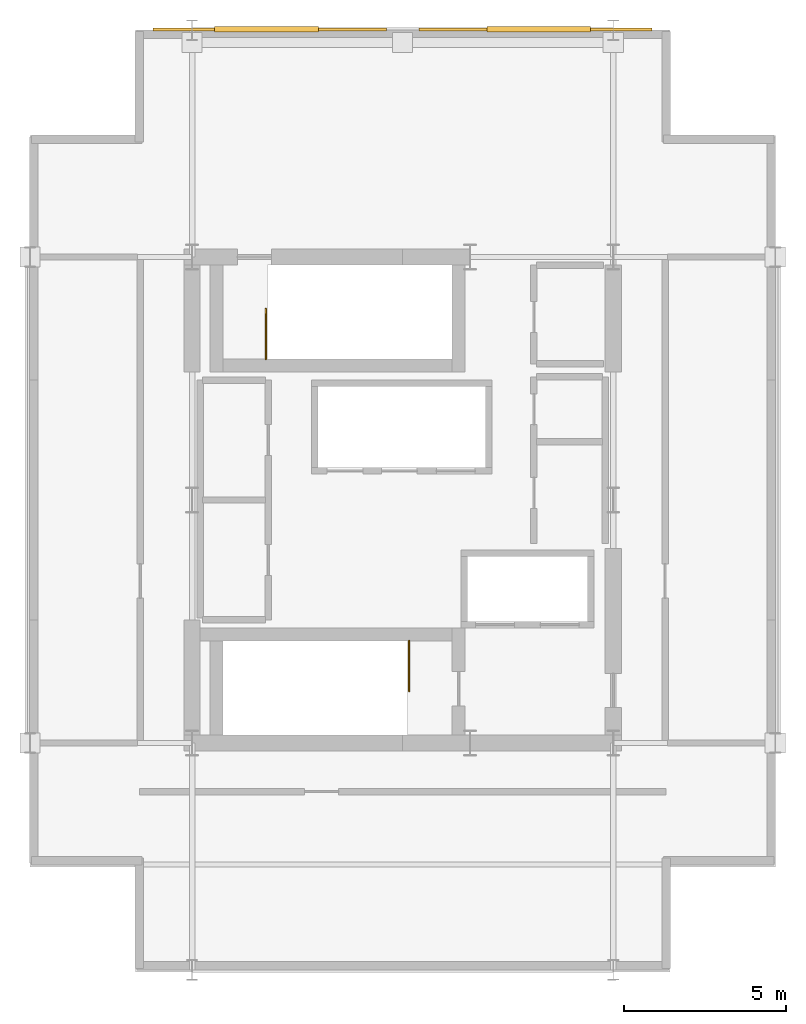
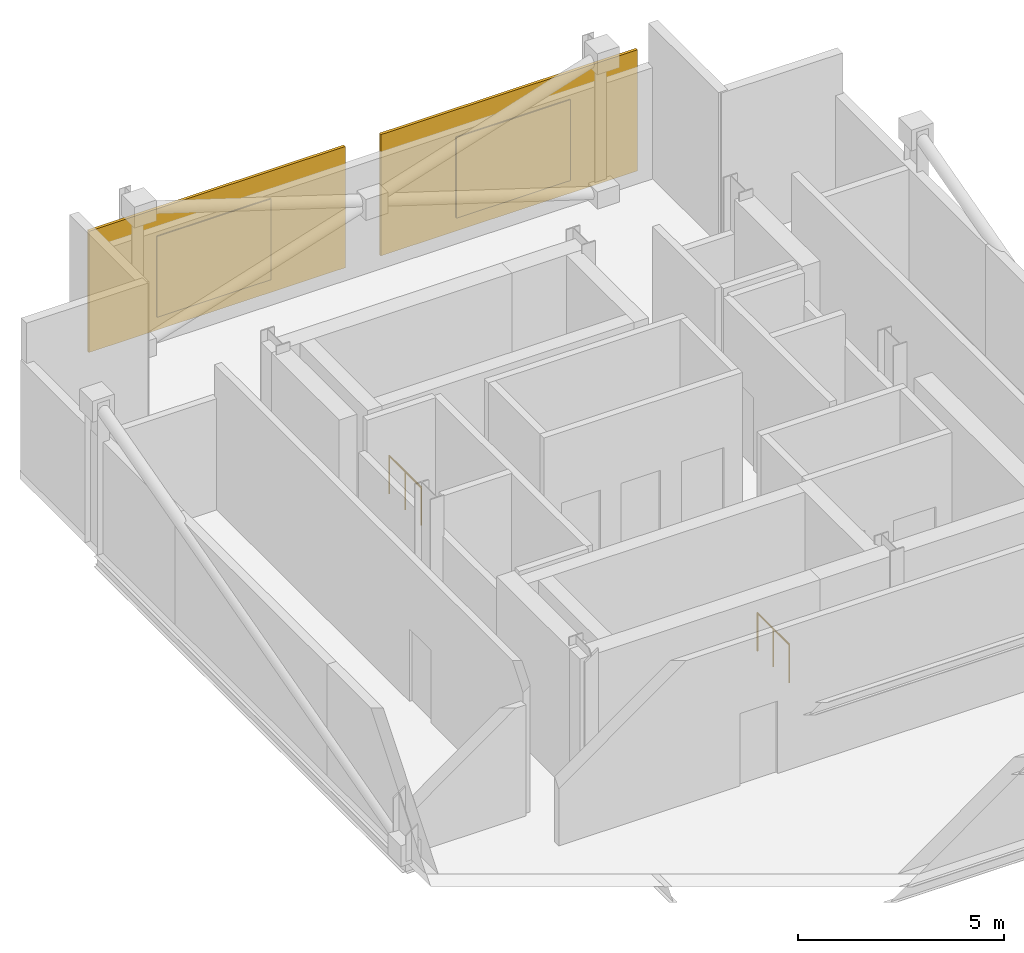
# One storey, part 3 of 3: 2 coverings, 2 railings, 2 shading devices.
"""IFC4 building model written with IfcOpenShell, lengths in metres."""

from ifc_helpers import new_model, si_unit, direction, frame, origin, origin_2d, place, context, subcontext, project, spatial, rectangle, circle, extrude, material, layer, layer_set, type_object, element, save


model = new_model("IFC4")

# Units and contexts
model_context = context("Model", 3, precision=1e-05, world=origin(), true_north=direction((0.0, 1.0)))
body_context = subcontext(model_context, "Body", "Model", "MODEL_VIEW")
ifc_project = project(units=[si_unit("LENGTHUNIT", "METRE"), si_unit("AREAUNIT", "SQUARE_METRE"), si_unit("VOLUMEUNIT", "CUBIC_METRE"), si_unit("PLANEANGLEUNIT", "RADIAN"), si_unit("MASSUNIT", "GRAM", prefix="KILO")], contexts=[model_context])

# Site, building, storey
site_placement = place(None, origin())
site = spatial("IfcSite", under=ifc_project, at=site_placement, CompositionType="ELEMENT")
building_placement = place(site_placement, origin())
building = spatial("IfcBuilding", under=site, at=building_placement, Name="Barlavira Tower and Art Museum", CompositionType="ELEMENT")
storey_placement = place(building_placement, frame((0.0, 0.0, 318.89990234375)))
storey = spatial("IfcBuildingStorey", under=building, at=storey_placement, Name="L83", CompositionType="ELEMENT", Elevation=318.89990234375)

# Shading devices
ifc_material_1 = material(Name="Pale anodised aluminium", Category="aluminium")
shading_device_type = type_object("IfcShadingDeviceType", Name="Crown Acoustic Weatherproof Plant Louvre Panel", PredefinedType="USERDEFINED", material=ifc_material_1)
for number, where, z_axis, x_axis, name in (
    (1, (-4.199951171875, 14.530029296875, 0.60009765625), (0.0, 0.0, 1.0), (1.0, 0.0, 0.0), "L83 Chisel Crown Acoustic Louvre 1"),
    (2, (4.199951171875, 14.530029296875, 0.60009765625), (0.0, 0.0, 1.0), (1.0, 0.0, 0.0), "L83 Chisel Crown Acoustic Louvre 2"),
):
    element("IfcShadingDevice", number, at=place(storey_placement, frame(where, z_axis=z_axis, x_axis=x_axis)), inside=storey, type_object=shading_device_type, Name=name, ObjectType="LOUVER", PredefinedType="USERDEFINED", context=body_context, shape_type="SweptSolid", body=[
        extrude(rectangle(XDim=3.199951171875, YDim=0.159912109375, at=origin_2d()), origin(), (0.0, 0.0, 1.0), 2.39990234375),
    ])

# Coverings
ifc_layer = layer(ifc_material_1, 0.080078125, Name="Pale anodised aluminium")
ifc_layer_set = layer_set([ifc_layer], Name="Pale anodised aluminium")
covering_type = type_object("IfcCoveringType", Name="Crown Chisel Pale-Metal Rainscreen Cladding 80", PredefinedType="CLADDING", material=ifc_layer_set)
for number, where, z_axis, x_axis, name in (
    (3, (-4.10009765625, 14.52001953125, 0.199951171875), (0.0, 0.0, 1.0), (1.0, 0.0, 0.0), "L83 North Chisel Rainscreen Cladding 1"),
    (4, (4.10009765625, 14.52001953125, 0.199951171875), (0.0, 0.0, 1.0), (1.0, 0.0, 0.0), "L83 North Chisel Rainscreen Cladding 2"),
):
    element("IfcCovering", number, at=place(storey_placement, frame(where, z_axis=z_axis, x_axis=x_axis)), inside=storey, type_object=covering_type, Name=name, PredefinedType="CLADDING", context=body_context, shape_type="SweptSolid", body=[
        extrude(rectangle(XDim=7.199951171875, YDim=0.080078125, at=origin_2d()), origin(), (0.0, 0.0, 1.0), 3.60009765625),
    ])

# Railings
ifc_material_2 = material(Name="Brushed stainless steel", Category="steel")
railing_type = type_object("IfcRailingType", Name="Interior Void and Landing Guard Railing 1150", PredefinedType="GUARDRAIL", material=ifc_material_2)
railing_1_placement = place(storey_placement, frame((0.199951171875, -4.35009765625, 0.0)))
element("IfcRailing", 5, at=railing_1_placement, inside=storey, type_object=railing_type, Name="L83 ST-T1 top well guard 1", PredefinedType="GUARDRAIL", context=body_context, shape_type="SweptSolid", body=[
    extrude(circle(Radius=0.02392578125, at=origin_2d()), frame((0.0, 0.0, 1.1259765625), z_axis=(0.0, -1.0, 0.0), x_axis=(1.0, 0.0, 0.0)), (0.0, 0.0, 1.0), 1.5498046875),
    extrude(circle(Radius=0.02099609375, at=origin_2d()), origin(), (0.0, 0.0, 1.0), 1.101806640625),
    extrude(circle(Radius=0.02099609375, at=origin_2d()), frame((0.0, -0.77490234375, 0.0)), (0.0, 0.0, 1.0), 1.101806640625),
    extrude(circle(Radius=0.02099609375, at=origin_2d()), frame((0.0, -1.5498046875, 0.0)), (0.0, 0.0, 1.0), 1.101806640625),
])
railing_2_placement = place(storey_placement, frame((-4.219970703125, 4.35009765625, 0.0)))
element("IfcRailing", 6, at=railing_2_placement, inside=storey, type_object=railing_type, Name="L83 ST-T2 top well guard 1", PredefinedType="GUARDRAIL", context=body_context, shape_type="SweptSolid", body=[
    extrude(circle(Radius=0.02392578125, at=origin_2d()), frame((0.0, 0.0, 1.1259765625), z_axis=(0.0, 1.0, 0.0), x_axis=(-1.0, 0.0, 0.0)), (0.0, 0.0, 1.0), 1.5498046875),
    extrude(circle(Radius=0.02099609375, at=origin_2d()), origin(), (0.0, 0.0, 1.0), 1.101806640625),
    extrude(circle(Radius=0.02099609375, at=origin_2d()), frame((0.0, 0.77490234375, 0.0)), (0.0, 0.0, 1.0), 1.101806640625),
    extrude(circle(Radius=0.02099609375, at=origin_2d()), frame((0.0, 1.5498046875, 0.0)), (0.0, 0.0, 1.0), 1.101806640625),
])

save(model, "model.ifc")
